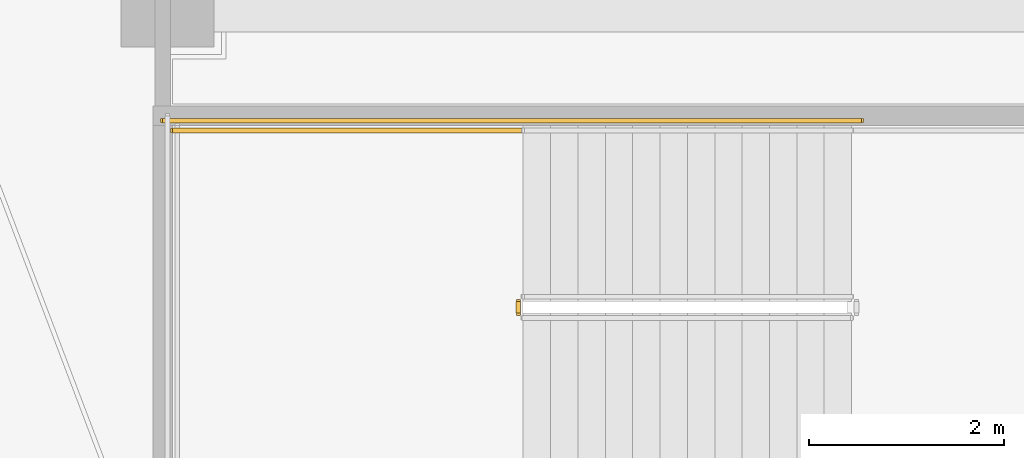
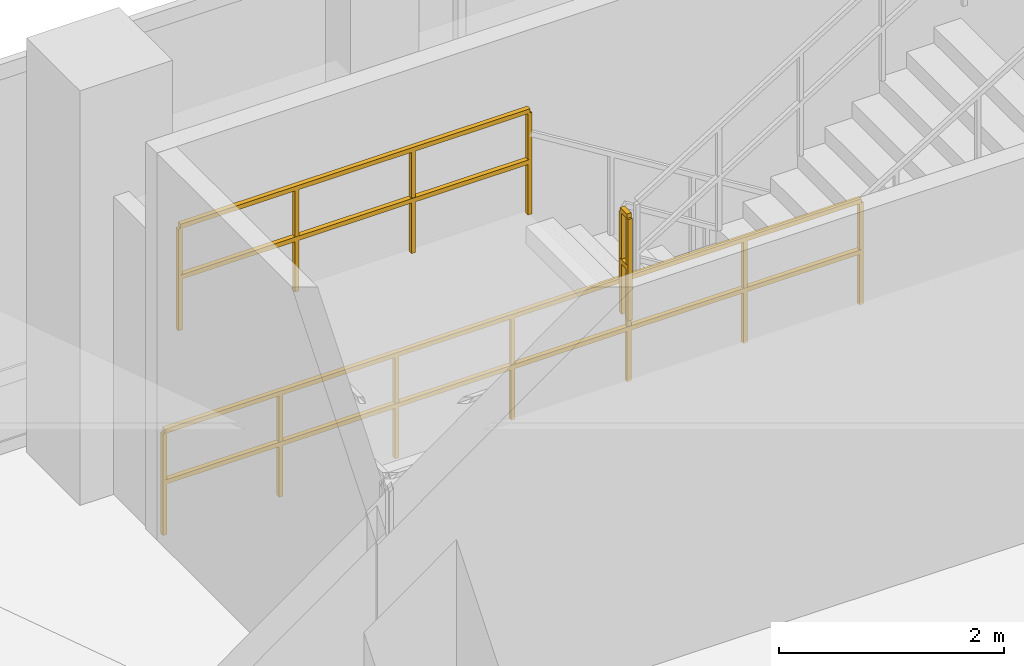
# One storey, part 33 of 36: 3 railings.
"""IFC4 building model written with IfcOpenShell, lengths in metres."""

from ifc_helpers import new_model, si_unit, direction, frame, origin, origin_2d, place, context, subcontext, project, spatial, rectangle, extrude, material, type_object, element, save


model = new_model("IFC4")

# Units and contexts
model_context = context("Model", 3, precision=1e-05, world=origin(), true_north=direction((-0.2419218956, 0.970295726276)))
body_context = subcontext(model_context, "Body", "Model", "MODEL_VIEW")
ifc_project = project(units=[si_unit("LENGTHUNIT", "METRE"), si_unit("AREAUNIT", "SQUARE_METRE"), si_unit("VOLUMEUNIT", "CUBIC_METRE"), si_unit("PLANEANGLEUNIT", "RADIAN"), si_unit("MASSUNIT", "GRAM", prefix="KILO")], contexts=[model_context])

# Site, building, storey
site_placement = place(None, origin())
site = spatial("IfcSite", under=ifc_project, at=site_placement, CompositionType="ELEMENT")
building_placement = place(site_placement, origin())
building = spatial("IfcBuilding", under=site, at=building_placement, Name="Cobrevalo Terracotta Tower", CompositionType="ELEMENT")
storey_placement = place(building_placement, frame((0.0, 0.0, 9.89990234375)))
storey = spatial("IfcBuildingStorey", under=building, at=storey_placement, Name="L02", CompositionType="ELEMENT", Elevation=9.89990234375)

# Railings
ifc_material = material(Name="Painted galvanized steel", Category="steel")
railing_type = type_object("IfcRailingType", Name="Stair Well Guard Balustrade 1150", PredefinedType="GUARDRAIL", material=ifc_material)
railing_1_placement = place(storey_placement, frame((61.090087890625, 47.719970703125, 2.25)))
element("IfcRailing", 1, at=railing_1_placement, inside=storey, type_object=railing_type, Name="L02 ST-P2 stair guard 2", PredefinedType="GUARDRAIL", context=body_context, shape_type="SweptSolid", body=[
    extrude(rectangle(XDim=0.048095703125, YDim=0.048095703125, at=origin_2d()), frame((0.0, 0.0, 1.1259765625), z_axis=(0.0, -1.0, 0.0), x_axis=(1.0, 0.0, 0.0)), (0.0, 0.0, 1.0), 0.119873046875),
    extrude(rectangle(XDim=0.048095703125, YDim=0.048095703125, at=origin_2d()), frame((0.0, 0.0, 0.574951171875), z_axis=(0.0, -1.0, 0.0), x_axis=(1.0, 0.0, 0.0)), (0.0, 0.0, 1.0), 0.119873046875),
    extrude(rectangle(XDim=0.0419921875, YDim=0.0419921875, at=origin_2d()), origin(), (0.0, 0.0, 1.0), 1.101806640625),
    extrude(rectangle(XDim=0.0419921875, YDim=0.0419921875, at=origin_2d()), frame((0.0, -0.119873046875, 0.0)), (0.0, 0.0, 1.0), 1.101806640625),
])
railing_2_placement = place(storey_placement, frame((61.139892578125, 49.469970703125, 2.25)))
element("IfcRailing", 2, at=railing_2_placement, inside=storey, type_object=railing_type, Name="L02 ST-P2 stair guard 3", PredefinedType="GUARDRAIL", context=body_context, shape_type="SweptSolid", body=[
    extrude(rectangle(XDim=0.048095703125, YDim=0.048095703125, at=origin_2d()), frame((0.0, 0.0, 1.1259765625), z_axis=(-1.0, 0.0, 0.0), x_axis=(0.0, -1.0, 0.0)), (0.0, 0.0, 1.0), 3.58984375),
    extrude(rectangle(XDim=0.048095703125, YDim=0.048095703125, at=origin_2d()), frame((0.0, 0.0, 0.574951171875), z_axis=(-1.0, 0.0, 0.0), x_axis=(0.0, -1.0, 0.0)), (0.0, 0.0, 1.0), 3.58984375),
    extrude(rectangle(XDim=0.0419921875, YDim=0.0419921875, at=origin_2d()), origin(), (0.0, 0.0, 1.0), 1.101806640625),
    extrude(rectangle(XDim=0.0419921875, YDim=0.0419921875, at=origin_2d()), frame((-1.196533203125, 0.0, 0.0)), (0.0, 0.0, 1.0), 1.101806640625),
    extrude(rectangle(XDim=0.0419921875, YDim=0.0419921875, at=origin_2d()), frame((-2.393310546875, 0.0, 0.0)), (0.0, 0.0, 1.0), 1.101806640625),
    extrude(rectangle(XDim=0.0419921875, YDim=0.0419921875, at=origin_2d()), frame((-3.58984375, 0.0, 0.0)), (0.0, 0.0, 1.0), 1.101806640625),
])
railing_3_placement = place(storey_placement, frame((64.60009765625, 49.570068359375, 0.0)))
element("IfcRailing", 3, at=railing_3_placement, inside=storey, type_object=railing_type, Name="L02 ST-P2 stair guard 10", PredefinedType="GUARDRAIL", context=body_context, shape_type="SweptSolid", body=[
    extrude(rectangle(XDim=0.048095703125, YDim=0.048095703125, at=origin_2d()), frame((0.0, 0.0, 1.1259765625), z_axis=(-1.0, 0.0, 0.0), x_axis=(0.0, -1.0, 0.0)), (0.0, 0.0, 1.0), 7.150146484375),
    extrude(rectangle(XDim=0.048095703125, YDim=0.048095703125, at=origin_2d()), frame((0.0, 0.0, 0.574951171875), z_axis=(-1.0, 0.0, 0.0), x_axis=(0.0, -1.0, 0.0)), (0.0, 0.0, 1.0), 7.150146484375),
    extrude(rectangle(XDim=0.0419921875, YDim=0.0419921875, at=origin_2d()), origin(), (0.0, 0.0, 1.0), 1.101806640625),
    extrude(rectangle(XDim=0.0419921875, YDim=0.0419921875, at=origin_2d()), frame((-1.191650390625, 0.0, 0.0)), (0.0, 0.0, 1.0), 1.101806640625),
    extrude(rectangle(XDim=0.0419921875, YDim=0.0419921875, at=origin_2d()), frame((-2.38330078125, 0.0, 0.0)), (0.0, 0.0, 1.0), 1.101806640625),
    extrude(rectangle(XDim=0.0419921875, YDim=0.0419921875, at=origin_2d()), frame((-3.5751953125, 0.0, 0.0)), (0.0, 0.0, 1.0), 1.101806640625),
    extrude(rectangle(XDim=0.0419921875, YDim=0.0419921875, at=origin_2d()), frame((-4.766845703125, 0.0, 0.0)), (0.0, 0.0, 1.0), 1.101806640625),
    extrude(rectangle(XDim=0.0419921875, YDim=0.0419921875, at=origin_2d()), frame((-5.95849609375, 0.0, 0.0)), (0.0, 0.0, 1.0), 1.101806640625),
    extrude(rectangle(XDim=0.0419921875, YDim=0.0419921875, at=origin_2d()), frame((-7.150146484375, 0.0, 0.0)), (0.0, 0.0, 1.0), 1.101806640625),
])

save(model, "model.ifc")
